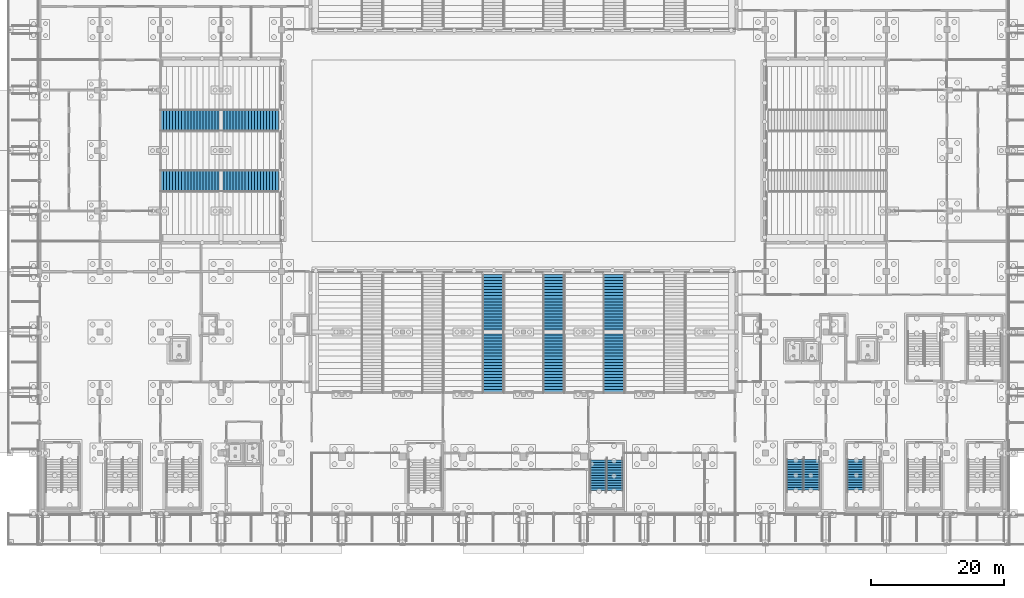
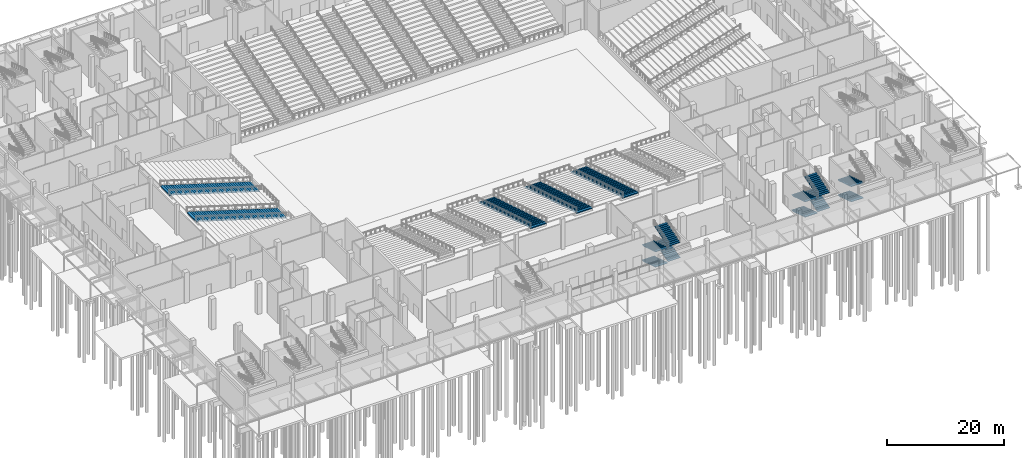
# One storey, part 89 of 129: 15 stair flights, 8 elements without a shape of their own.
"""IFC4 building model written with IfcOpenShell, lengths in metres."""

from ifc_helpers import new_model, si_unit, direction, frame, origin, place, context, subcontext, project, spatial, polyline, outline, extrude, material, type_object, element, aggregate, save


model = new_model("IFC4")

# Units and contexts
model_context = context("Model", 3, precision=1e-05, world=origin(), true_north=direction((0.0, 1.0)))
body_context = subcontext(model_context, "Body", "Model", "MODEL_VIEW")
ifc_project = project(units=[si_unit("LENGTHUNIT", "METRE"), si_unit("AREAUNIT", "SQUARE_METRE"), si_unit("VOLUMEUNIT", "CUBIC_METRE"), si_unit("PLANEANGLEUNIT", "RADIAN"), si_unit("MASSUNIT", "GRAM", prefix="KILO")], contexts=[model_context])

# Site, building, storey
site_placement = place(None, origin())
site = spatial("IfcSite", under=ifc_project, at=site_placement, CompositionType="ELEMENT")
building_placement = place(site_placement, origin())
building = spatial("IfcBuilding", under=site, at=building_placement, Name="Shirokan Park Arena", CompositionType="ELEMENT")
storey_placement = place(building_placement, origin())
storey = spatial("IfcBuildingStorey", under=building, at=storey_placement, Name="L00", CompositionType="ELEMENT", Elevation=0.0)

# Stair, stair flights
ifc_material = material(Name="Concrete C30 precast", Category="concrete")
stair_type_1 = type_object("IfcStairType", Name="Stair 52 risers 122 x 385 2400 wide", PredefinedType="DOUBLE_RETURN_STAIR", material=ifc_material)
stair_1_placement = place(storey_placement, origin())
stair_1 = element("IfcStair", 1, at=stair_1_placement, inside=storey, type_object=stair_type_1, Name="Exit Stair 2.C L00 to L01", PredefinedType="DOUBLE_RETURN_STAIR")
stair_flight_type_1 = type_object("IfcStairFlightType", Name="Stair flight 13 risers 122 x 385 2400 wide", PredefinedType="STRAIGHT", material=ifc_material)
stair_flight_1_placement = place(storey_placement, frame((122.75, 8.14990234375, 0.0), z_axis=(0.0, 0.0, 1.0), x_axis=(0.0, -1.0, 0.0)))
stair_flight_1 = element("IfcStairFlight", 2, at=stair_flight_1_placement, type_object=stair_flight_type_1, Name="ST06.1 flight 1", NumberOfRisers=13, NumberOfTreads=12, PredefinedType="STRAIGHT", RiserHeight=0.1225, TreadLength=0.385, context=body_context, shape_type="SweptSolid", body=[
    extrude(outline(polyline([(0.0, 0.0), (0.0, 0.12255859375), (0.385009765625, 0.12255859375), (0.385009765625, 0.2451171875), (0.77001953125, 0.2451171875), (0.77001953125, 0.367431640625), (1.155029296875, 0.367431640625), (1.155029296875, 0.489990234375), (1.5400390625, 0.489990234375), (1.5400390625, 0.612548828125), (1.925048828125, 0.612548828125), (1.925048828125, 0.735107421875), (2.31005859375, 0.735107421875), (2.31005859375, 0.857421875), (2.695068359375, 0.857421875), (2.695068359375, 0.97998046875), (3.080078125, 0.97998046875), (3.080078125, 1.1025390625), (3.465087890625, 1.1025390625), (3.465087890625, 1.22509765625), (3.85009765625, 1.22509765625), (3.85009765625, 1.347412109375), (4.235107421875, 1.347412109375), (4.235107421875, 1.469970703125), (4.6201171875, 1.469970703125), (4.6201171875, 1.592529296875), (4.6201171875, 1.312744140625), (0.494384765625, 0.0), (0.0, 0.0)])), frame((0.0, 1.199951171875, 0.0), z_axis=(0.0, -1.0, 0.0), x_axis=(1.0, 0.0, 0.0)), (0.0, 0.0, 1.0), 2.39990234375),
])
stair_flight_2_placement = place(storey_placement, frame((122.75, 8.14990234375, 3.18505859375), z_axis=(0.0, 0.0, 1.0), x_axis=(0.0, -1.0, 0.0)))
stair_flight_2 = element("IfcStairFlight", 3, at=stair_flight_2_placement, type_object=stair_flight_type_1, Name="ST06.1 flight 3", NumberOfRisers=13, NumberOfTreads=12, PredefinedType="STRAIGHT", RiserHeight=0.1225, TreadLength=0.385, context=body_context, shape_type="SweptSolid", body=[
    extrude(outline(polyline([(0.0, 0.0), (0.0, 0.12255859375), (0.385009765625, 0.12255859375), (0.385009765625, 0.2451171875), (0.77001953125, 0.2451171875), (0.77001953125, 0.367431640625), (1.155029296875, 0.367431640625), (1.155029296875, 0.489990234375), (1.5400390625, 0.489990234375), (1.5400390625, 0.612548828125), (1.925048828125, 0.612548828125), (1.925048828125, 0.735107421875), (2.31005859375, 0.735107421875), (2.31005859375, 0.857421875), (2.695068359375, 0.857421875), (2.695068359375, 0.97998046875), (3.080078125, 0.97998046875), (3.080078125, 1.1025390625), (3.465087890625, 1.1025390625), (3.465087890625, 1.22509765625), (3.85009765625, 1.22509765625), (3.85009765625, 1.347412109375), (4.235107421875, 1.347412109375), (4.235107421875, 1.469970703125), (4.6201171875, 1.469970703125), (4.6201171875, 1.592529296875), (4.6201171875, 1.312744140625), (0.494384765625, 0.0), (0.0, 0.0)])), frame((0.0, 1.199951171875, 0.0), z_axis=(0.0, -1.0, 0.0), x_axis=(1.0, 0.0, 0.0)), (0.0, 0.0, 1.0), 2.39990234375),
])
aggregate(stair_1, [stair_flight_1, stair_flight_2])

stair_2_placement = place(storey_placement, origin())
stair_2 = element("IfcStair", 4, at=stair_2_placement, inside=storey, type_object=stair_type_1, Name="Exit Stair 2.D L00 to L01", PredefinedType="DOUBLE_RETURN_STAIR")
stair_flight_3_placement = place(storey_placement, frame((113.64990234375, 8.14990234375, 0.0), z_axis=(0.0, 0.0, 1.0), x_axis=(0.0, -1.0, 0.0)))
stair_flight_3 = element("IfcStairFlight", 5, at=stair_flight_3_placement, type_object=stair_flight_type_1, Name="ST07.1 flight 1", NumberOfRisers=13, NumberOfTreads=12, PredefinedType="STRAIGHT", RiserHeight=0.1225, TreadLength=0.385, context=body_context, shape_type="SweptSolid", body=[
    extrude(outline(polyline([(0.0, 0.0), (0.0, 0.12255859375), (0.385009765625, 0.12255859375), (0.385009765625, 0.2451171875), (0.77001953125, 0.2451171875), (0.77001953125, 0.367431640625), (1.155029296875, 0.367431640625), (1.155029296875, 0.489990234375), (1.5400390625, 0.489990234375), (1.5400390625, 0.612548828125), (1.925048828125, 0.612548828125), (1.925048828125, 0.735107421875), (2.31005859375, 0.735107421875), (2.31005859375, 0.857421875), (2.695068359375, 0.857421875), (2.695068359375, 0.97998046875), (3.080078125, 0.97998046875), (3.080078125, 1.1025390625), (3.465087890625, 1.1025390625), (3.465087890625, 1.22509765625), (3.85009765625, 1.22509765625), (3.85009765625, 1.347412109375), (4.235107421875, 1.347412109375), (4.235107421875, 1.469970703125), (4.6201171875, 1.469970703125), (4.6201171875, 1.592529296875), (4.6201171875, 1.312744140625), (0.494384765625, 0.0), (0.0, 0.0)])), frame((0.0, 1.199951171875, 0.0), z_axis=(0.0, -1.0, 0.0), x_axis=(1.0, 0.0, 0.0)), (0.0, 0.0, 1.0), 2.39990234375),
])
stair_flight_4_placement = place(storey_placement, frame((116.14990234375, 3.530029296875, 1.592529296875), z_axis=(0.0, 0.0, 1.0), x_axis=(0.0, 1.0, 0.0)))
stair_flight_4 = element("IfcStairFlight", 6, at=stair_flight_4_placement, type_object=stair_flight_type_1, Name="ST07.1 flight 2", NumberOfRisers=13, NumberOfTreads=12, PredefinedType="STRAIGHT", RiserHeight=0.1225, TreadLength=0.385, context=body_context, shape_type="SweptSolid", body=[
    extrude(outline(polyline([(0.0, 0.0), (0.0, 0.12255859375), (0.385009765625, 0.12255859375), (0.385009765625, 0.2451171875), (0.77001953125, 0.2451171875), (0.77001953125, 0.367431640625), (1.155029296875, 0.367431640625), (1.155029296875, 0.489990234375), (1.5400390625, 0.489990234375), (1.5400390625, 0.612548828125), (1.925048828125, 0.612548828125), (1.925048828125, 0.735107421875), (2.31005859375, 0.735107421875), (2.31005859375, 0.857421875), (2.695068359375, 0.857421875), (2.695068359375, 0.97998046875), (3.080078125, 0.97998046875), (3.080078125, 1.1025390625), (3.465087890625, 1.1025390625), (3.465087890625, 1.22509765625), (3.85009765625, 1.22509765625), (3.85009765625, 1.347412109375), (4.235107421875, 1.347412109375), (4.235107421875, 1.469970703125), (4.6201171875, 1.469970703125), (4.6201171875, 1.592529296875), (4.6201171875, 1.312744140625), (0.494384765625, 0.0), (0.0, 0.0)])), frame((0.0, 1.199951171875, 0.0), z_axis=(0.0, -1.0, 0.0), x_axis=(1.0, 0.0, 0.0)), (0.0, 0.0, 1.0), 2.39990234375),
])
stair_flight_5_placement = place(storey_placement, frame((113.64990234375, 8.14990234375, 3.18505859375), z_axis=(0.0, 0.0, 1.0), x_axis=(0.0, -1.0, 0.0)))
stair_flight_5 = element("IfcStairFlight", 7, at=stair_flight_5_placement, type_object=stair_flight_type_1, Name="ST07.1 flight 3", NumberOfRisers=13, NumberOfTreads=12, PredefinedType="STRAIGHT", RiserHeight=0.1225, TreadLength=0.385, context=body_context, shape_type="SweptSolid", body=[
    extrude(outline(polyline([(0.0, 0.0), (0.0, 0.12255859375), (0.385009765625, 0.12255859375), (0.385009765625, 0.2451171875), (0.77001953125, 0.2451171875), (0.77001953125, 0.367431640625), (1.155029296875, 0.367431640625), (1.155029296875, 0.489990234375), (1.5400390625, 0.489990234375), (1.5400390625, 0.612548828125), (1.925048828125, 0.612548828125), (1.925048828125, 0.735107421875), (2.31005859375, 0.735107421875), (2.31005859375, 0.857421875), (2.695068359375, 0.857421875), (2.695068359375, 0.97998046875), (3.080078125, 0.97998046875), (3.080078125, 1.1025390625), (3.465087890625, 1.1025390625), (3.465087890625, 1.22509765625), (3.85009765625, 1.22509765625), (3.85009765625, 1.347412109375), (4.235107421875, 1.347412109375), (4.235107421875, 1.469970703125), (4.6201171875, 1.469970703125), (4.6201171875, 1.592529296875), (4.6201171875, 1.312744140625), (0.494384765625, 0.0), (0.0, 0.0)])), frame((0.0, 1.199951171875, 0.0), z_axis=(0.0, -1.0, 0.0), x_axis=(1.0, 0.0, 0.0)), (0.0, 0.0, 1.0), 2.39990234375),
])
stair_flight_6_placement = place(storey_placement, frame((116.14990234375, 3.530029296875, 4.777587890625), z_axis=(0.0, 0.0, 1.0), x_axis=(0.0, 1.0, 0.0)))
stair_flight_6 = element("IfcStairFlight", 8, at=stair_flight_6_placement, type_object=stair_flight_type_1, Name="ST07.1 flight 4", NumberOfRisers=13, NumberOfTreads=12, PredefinedType="STRAIGHT", RiserHeight=0.1225, TreadLength=0.385, context=body_context, shape_type="SweptSolid", body=[
    extrude(outline(polyline([(0.0, 0.0), (0.0, 0.12255859375), (0.385009765625, 0.12255859375), (0.385009765625, 0.2451171875), (0.77001953125, 0.2451171875), (0.77001953125, 0.367431640625), (1.155029296875, 0.367431640625), (1.155029296875, 0.489990234375), (1.5400390625, 0.489990234375), (1.5400390625, 0.612548828125), (1.925048828125, 0.612548828125), (1.925048828125, 0.735107421875), (2.31005859375, 0.735107421875), (2.31005859375, 0.857421875), (2.695068359375, 0.857421875), (2.695068359375, 0.97998046875), (3.080078125, 0.97998046875), (3.080078125, 1.1025390625), (3.465087890625, 1.1025390625), (3.465087890625, 1.22509765625), (3.85009765625, 1.22509765625), (3.85009765625, 1.347412109375), (4.235107421875, 1.347412109375), (4.235107421875, 1.469970703125), (4.6201171875, 1.469970703125), (4.6201171875, 1.592529296875), (4.6201171875, 1.312744140625), (0.494384765625, 0.0), (0.0, 0.0)])), frame((0.0, 1.199951171875, 0.0), z_axis=(0.0, -1.0, 0.0), x_axis=(1.0, 0.0, 0.0)), (0.0, 0.0, 1.0), 2.39990234375),
])
aggregate(stair_2, [stair_flight_3, stair_flight_4, stair_flight_5, stair_flight_6])

stair_3_placement = place(storey_placement, origin())
stair_3 = element("IfcStair", 9, at=stair_3_placement, inside=storey, type_object=stair_type_1, Name="Entrance Stair E1.2 L00 to L01", PredefinedType="DOUBLE_RETURN_STAIR")
stair_flight_7_placement = place(storey_placement, frame((84.050048828125, 8.050048828125, 0.0), z_axis=(0.0, 0.0, 1.0), x_axis=(0.0, -1.0, 0.0)))
stair_flight_7 = element("IfcStairFlight", 10, at=stair_flight_7_placement, type_object=stair_flight_type_1, Name="ST25.1 flight 1", NumberOfRisers=13, NumberOfTreads=12, PredefinedType="STRAIGHT", RiserHeight=0.1225, TreadLength=0.385, context=body_context, shape_type="SweptSolid", body=[
    extrude(outline(polyline([(0.0, 0.0), (0.0, 0.12255859375), (0.385009765625, 0.12255859375), (0.385009765625, 0.2451171875), (0.77001953125, 0.2451171875), (0.77001953125, 0.367431640625), (1.155029296875, 0.367431640625), (1.155029296875, 0.489990234375), (1.5400390625, 0.489990234375), (1.5400390625, 0.612548828125), (1.925048828125, 0.612548828125), (1.925048828125, 0.735107421875), (2.31005859375, 0.735107421875), (2.31005859375, 0.857421875), (2.695068359375, 0.857421875), (2.695068359375, 0.97998046875), (3.080078125, 0.97998046875), (3.080078125, 1.1025390625), (3.465087890625, 1.1025390625), (3.465087890625, 1.22509765625), (3.85009765625, 1.22509765625), (3.85009765625, 1.347412109375), (4.235107421875, 1.347412109375), (4.235107421875, 1.469970703125), (4.6201171875, 1.469970703125), (4.6201171875, 1.592529296875), (4.6201171875, 1.312744140625), (0.494384765625, 0.0), (0.0, 0.0)])), frame((0.0, 1.199951171875, 0.0), z_axis=(0.0, -1.0, 0.0), x_axis=(1.0, 0.0, 0.0)), (0.0, 0.0, 1.0), 2.39990234375),
])
stair_flight_8_placement = place(storey_placement, frame((86.550048828125, 3.429931640625, 1.592529296875), z_axis=(0.0, 0.0, 1.0), x_axis=(0.0, 1.0, 0.0)))
stair_flight_8 = element("IfcStairFlight", 11, at=stair_flight_8_placement, type_object=stair_flight_type_1, Name="ST25.1 flight 2", NumberOfRisers=13, NumberOfTreads=12, PredefinedType="STRAIGHT", RiserHeight=0.1225, TreadLength=0.385, context=body_context, shape_type="SweptSolid", body=[
    extrude(outline(polyline([(0.0, 0.0), (0.0, 0.12255859375), (0.385009765625, 0.12255859375), (0.385009765625, 0.2451171875), (0.77001953125, 0.2451171875), (0.77001953125, 0.367431640625), (1.155029296875, 0.367431640625), (1.155029296875, 0.489990234375), (1.5400390625, 0.489990234375), (1.5400390625, 0.612548828125), (1.925048828125, 0.612548828125), (1.925048828125, 0.735107421875), (2.31005859375, 0.735107421875), (2.31005859375, 0.857421875), (2.695068359375, 0.857421875), (2.695068359375, 0.97998046875), (3.080078125, 0.97998046875), (3.080078125, 1.1025390625), (3.465087890625, 1.1025390625), (3.465087890625, 1.22509765625), (3.85009765625, 1.22509765625), (3.85009765625, 1.347412109375), (4.235107421875, 1.347412109375), (4.235107421875, 1.469970703125), (4.6201171875, 1.469970703125), (4.6201171875, 1.592529296875), (4.6201171875, 1.312744140625), (0.494384765625, 0.0), (0.0, 0.0)])), frame((0.0, 1.199951171875, 0.0), z_axis=(0.0, -1.0, 0.0), x_axis=(1.0, 0.0, 0.0)), (0.0, 0.0, 1.0), 2.39990234375),
])
stair_flight_9_placement = place(storey_placement, frame((84.050048828125, 8.050048828125, 3.18505859375), z_axis=(0.0, 0.0, 1.0), x_axis=(0.0, -1.0, 0.0)))
stair_flight_9 = element("IfcStairFlight", 12, at=stair_flight_9_placement, type_object=stair_flight_type_1, Name="ST25.1 flight 3", NumberOfRisers=13, NumberOfTreads=12, PredefinedType="STRAIGHT", RiserHeight=0.1225, TreadLength=0.385, context=body_context, shape_type="SweptSolid", body=[
    extrude(outline(polyline([(0.0, 0.0), (0.0, 0.12255859375), (0.385009765625, 0.12255859375), (0.385009765625, 0.2451171875), (0.77001953125, 0.2451171875), (0.77001953125, 0.367431640625), (1.155029296875, 0.367431640625), (1.155029296875, 0.489990234375), (1.5400390625, 0.489990234375), (1.5400390625, 0.612548828125), (1.925048828125, 0.612548828125), (1.925048828125, 0.735107421875), (2.31005859375, 0.735107421875), (2.31005859375, 0.857421875), (2.695068359375, 0.857421875), (2.695068359375, 0.97998046875), (3.080078125, 0.97998046875), (3.080078125, 1.1025390625), (3.465087890625, 1.1025390625), (3.465087890625, 1.22509765625), (3.85009765625, 1.22509765625), (3.85009765625, 1.347412109375), (4.235107421875, 1.347412109375), (4.235107421875, 1.469970703125), (4.6201171875, 1.469970703125), (4.6201171875, 1.592529296875), (4.6201171875, 1.312744140625), (0.494384765625, 0.0), (0.0, 0.0)])), frame((0.0, 1.199951171875, 0.0), z_axis=(0.0, -1.0, 0.0), x_axis=(1.0, 0.0, 0.0)), (0.0, 0.0, 1.0), 2.39990234375),
])
stair_flight_10_placement = place(storey_placement, frame((86.550048828125, 3.429931640625, 4.777587890625), z_axis=(0.0, 0.0, 1.0), x_axis=(0.0, 1.0, 0.0)))
stair_flight_10 = element("IfcStairFlight", 13, at=stair_flight_10_placement, type_object=stair_flight_type_1, Name="ST25.1 flight 4", NumberOfRisers=13, NumberOfTreads=12, PredefinedType="STRAIGHT", RiserHeight=0.1225, TreadLength=0.385, context=body_context, shape_type="SweptSolid", body=[
    extrude(outline(polyline([(0.0, 0.0), (0.0, 0.12255859375), (0.385009765625, 0.12255859375), (0.385009765625, 0.2451171875), (0.77001953125, 0.2451171875), (0.77001953125, 0.367431640625), (1.155029296875, 0.367431640625), (1.155029296875, 0.489990234375), (1.5400390625, 0.489990234375), (1.5400390625, 0.612548828125), (1.925048828125, 0.612548828125), (1.925048828125, 0.735107421875), (2.31005859375, 0.735107421875), (2.31005859375, 0.857421875), (2.695068359375, 0.857421875), (2.695068359375, 0.97998046875), (3.080078125, 0.97998046875), (3.080078125, 1.1025390625), (3.465087890625, 1.1025390625), (3.465087890625, 1.22509765625), (3.85009765625, 1.22509765625), (3.85009765625, 1.347412109375), (4.235107421875, 1.347412109375), (4.235107421875, 1.469970703125), (4.6201171875, 1.469970703125), (4.6201171875, 1.592529296875), (4.6201171875, 1.312744140625), (0.494384765625, 0.0), (0.0, 0.0)])), frame((0.0, 1.199951171875, 0.0), z_axis=(0.0, -1.0, 0.0), x_axis=(1.0, 0.0, 0.0)), (0.0, 0.0, 1.0), 2.39990234375),
])
aggregate(stair_3, [stair_flight_7, stair_flight_8, stair_flight_9, stair_flight_10])

# Stair, stair flight
stair_type_2 = type_object("IfcStairType", Name="Stair 40 risers 140 x 455 3200 wide", PredefinedType="STRAIGHT_RUN_STAIR", material=ifc_material)
stair_4_placement = place(storey_placement, origin())
stair_4 = element("IfcStair", 14, at=stair_4_placement, inside=storey, type_object=stair_type_2, Name="Vomitory stair S3 lower", PredefinedType="STRAIGHT_RUN_STAIR")
stair_flight_type_2 = type_object("IfcStairFlightType", Name="Stair flight 40 risers 140 x 455 3200 wide", PredefinedType="STRAIGHT", material=ifc_material)
stair_flight_11_placement = place(storey_placement, frame((68.25, 35.945068359375, 0.77001953125), z_axis=(0.0, 0.0, 1.0), x_axis=(0.0, -1.0, 0.0)))
stair_flight_11 = element("IfcStairFlight", 15, at=stair_flight_11_placement, type_object=stair_flight_type_2, Name="VS-S3L flight 1", NumberOfRisers=40, NumberOfTreads=39, PredefinedType="STRAIGHT", RiserHeight=0.14, TreadLength=0.455, context=body_context, shape_type="SweptSolid", body=[
    extrude(outline(polyline([(0.0, -0.0693359375), (0.0, 0.0), (0.0, 0.139892578125), (0.455078125, 0.139892578125), (0.455078125, 0.280029296875), (0.909912109375, 0.280029296875), (0.909912109375, 0.419921875), (1.364990234375, 0.419921875), (1.364990234375, 0.56005859375), (1.820068359375, 0.56005859375), (1.820068359375, 0.699951171875), (2.27490234375, 0.699951171875), (2.27490234375, 0.840087890625), (2.72998046875, 0.840087890625), (2.72998046875, 0.97998046875), (3.18505859375, 0.97998046875), (3.18505859375, 1.1201171875), (3.639892578125, 1.1201171875), (3.639892578125, 1.260009765625), (4.094970703125, 1.260009765625), (4.094970703125, 1.39990234375), (4.550048828125, 1.39990234375), (4.550048828125, 1.5400390625), (5.0048828125, 1.5400390625), (5.0048828125, 1.679931640625), (5.4599609375, 1.679931640625), (5.4599609375, 1.820068359375), (5.9150390625, 1.820068359375), (5.9150390625, 1.9599609375), (6.3701171875, 1.9599609375), (6.3701171875, 2.10009765625), (6.824951171875, 2.10009765625), (6.824951171875, 2.239990234375), (7.280029296875, 2.239990234375), (7.280029296875, 2.3798828125), (7.735107421875, 2.3798828125), (7.735107421875, 2.52001953125), (8.18994140625, 2.52001953125), (8.18994140625, 2.659912109375), (8.64501953125, 2.659912109375), (8.64501953125, 2.800048828125), (9.10009765625, 2.800048828125), (9.10009765625, 2.93994140625), (9.554931640625, 2.93994140625), (9.554931640625, 3.080078125), (10.010009765625, 3.080078125), (10.010009765625, 3.219970703125), (10.465087890625, 3.219970703125), (10.465087890625, 3.360107421875), (10.919921875, 3.360107421875), (10.919921875, 3.5), (11.375, 3.5), (11.375, 3.639892578125), (11.830078125, 3.639892578125), (11.830078125, 3.780029296875), (12.284912109375, 3.780029296875), (12.284912109375, 3.919921875), (12.739990234375, 3.919921875), (12.739990234375, 4.06005859375), (13.195068359375, 4.06005859375), (13.195068359375, 4.199951171875), (13.64990234375, 4.199951171875), (13.64990234375, 4.340087890625), (14.10498046875, 4.340087890625), (14.10498046875, 4.47998046875), (14.56005859375, 4.47998046875), (14.56005859375, 4.6201171875), (15.014892578125, 4.6201171875), (15.014892578125, 4.760009765625), (15.469970703125, 4.760009765625), (15.469970703125, 4.89990234375), (15.925048828125, 4.89990234375), (15.925048828125, 5.0400390625), (16.3798828125, 5.0400390625), (16.3798828125, 5.179931640625), (16.8349609375, 5.179931640625), (16.8349609375, 5.320068359375), (17.2900390625, 5.320068359375), (17.2900390625, 5.4599609375), (17.7451171875, 5.4599609375), (17.7451171875, 5.60009765625), (17.7451171875, 5.25), (17.544921875, 5.25), (17.544921875, 5.329345703125), (0.0, -0.0693359375)])), frame((0.0, 1.60009765625, 0.0), z_axis=(0.0, -1.0, 0.0), x_axis=(1.0, 0.0, 0.0)), (0.0, 0.0, 1.0), 3.199951171875),
])
aggregate(stair_4, [stair_flight_11])

stair_5_placement = place(storey_placement, origin())
stair_5 = element("IfcStair", 16, at=stair_5_placement, inside=storey, type_object=stair_type_2, Name="Vomitory stair S4 lower", PredefinedType="STRAIGHT_RUN_STAIR")
stair_flight_12_placement = place(storey_placement, frame((77.35009765625, 35.945068359375, 0.77001953125), z_axis=(0.0, 0.0, 1.0), x_axis=(0.0, -1.0, 0.0)))
stair_flight_12 = element("IfcStairFlight", 17, at=stair_flight_12_placement, type_object=stair_flight_type_2, Name="VS-S4L flight 1", NumberOfRisers=40, NumberOfTreads=39, PredefinedType="STRAIGHT", RiserHeight=0.14, TreadLength=0.455, context=body_context, shape_type="SweptSolid", body=[
    extrude(outline(polyline([(0.0, -0.0693359375), (0.0, 0.0), (0.0, 0.139892578125), (0.455078125, 0.139892578125), (0.455078125, 0.280029296875), (0.909912109375, 0.280029296875), (0.909912109375, 0.419921875), (1.364990234375, 0.419921875), (1.364990234375, 0.56005859375), (1.820068359375, 0.56005859375), (1.820068359375, 0.699951171875), (2.27490234375, 0.699951171875), (2.27490234375, 0.840087890625), (2.72998046875, 0.840087890625), (2.72998046875, 0.97998046875), (3.18505859375, 0.97998046875), (3.18505859375, 1.1201171875), (3.639892578125, 1.1201171875), (3.639892578125, 1.260009765625), (4.094970703125, 1.260009765625), (4.094970703125, 1.39990234375), (4.550048828125, 1.39990234375), (4.550048828125, 1.5400390625), (5.0048828125, 1.5400390625), (5.0048828125, 1.679931640625), (5.4599609375, 1.679931640625), (5.4599609375, 1.820068359375), (5.9150390625, 1.820068359375), (5.9150390625, 1.9599609375), (6.3701171875, 1.9599609375), (6.3701171875, 2.10009765625), (6.824951171875, 2.10009765625), (6.824951171875, 2.239990234375), (7.280029296875, 2.239990234375), (7.280029296875, 2.3798828125), (7.735107421875, 2.3798828125), (7.735107421875, 2.52001953125), (8.18994140625, 2.52001953125), (8.18994140625, 2.659912109375), (8.64501953125, 2.659912109375), (8.64501953125, 2.800048828125), (9.10009765625, 2.800048828125), (9.10009765625, 2.93994140625), (9.554931640625, 2.93994140625), (9.554931640625, 3.080078125), (10.010009765625, 3.080078125), (10.010009765625, 3.219970703125), (10.465087890625, 3.219970703125), (10.465087890625, 3.360107421875), (10.919921875, 3.360107421875), (10.919921875, 3.5), (11.375, 3.5), (11.375, 3.639892578125), (11.830078125, 3.639892578125), (11.830078125, 3.780029296875), (12.284912109375, 3.780029296875), (12.284912109375, 3.919921875), (12.739990234375, 3.919921875), (12.739990234375, 4.06005859375), (13.195068359375, 4.06005859375), (13.195068359375, 4.199951171875), (13.64990234375, 4.199951171875), (13.64990234375, 4.340087890625), (14.10498046875, 4.340087890625), (14.10498046875, 4.47998046875), (14.56005859375, 4.47998046875), (14.56005859375, 4.6201171875), (15.014892578125, 4.6201171875), (15.014892578125, 4.760009765625), (15.469970703125, 4.760009765625), (15.469970703125, 4.89990234375), (15.925048828125, 4.89990234375), (15.925048828125, 5.0400390625), (16.3798828125, 5.0400390625), (16.3798828125, 5.179931640625), (16.8349609375, 5.179931640625), (16.8349609375, 5.320068359375), (17.2900390625, 5.320068359375), (17.2900390625, 5.4599609375), (17.7451171875, 5.4599609375), (17.7451171875, 5.60009765625), (17.7451171875, 5.25), (17.544921875, 5.25), (17.544921875, 5.329345703125), (0.0, -0.0693359375)])), frame((0.0, 1.60009765625, 0.0), z_axis=(0.0, -1.0, 0.0), x_axis=(1.0, 0.0, 0.0)), (0.0, 0.0, 1.0), 3.199951171875),
])
aggregate(stair_5, [stair_flight_12])

stair_6_placement = place(storey_placement, origin())
stair_6 = element("IfcStair", 18, at=stair_6_placement, inside=storey, type_object=stair_type_2, Name="Vomitory stair S5 lower", PredefinedType="STRAIGHT_RUN_STAIR")
stair_flight_13_placement = place(storey_placement, frame((86.449951171875, 35.945068359375, 0.77001953125), z_axis=(0.0, 0.0, 1.0), x_axis=(0.0, -1.0, 0.0)))
stair_flight_13 = element("IfcStairFlight", 19, at=stair_flight_13_placement, type_object=stair_flight_type_2, Name="VS-S5L flight 1", NumberOfRisers=40, NumberOfTreads=39, PredefinedType="STRAIGHT", RiserHeight=0.14, TreadLength=0.455, context=body_context, shape_type="SweptSolid", body=[
    extrude(outline(polyline([(0.0, -0.0693359375), (0.0, 0.0), (0.0, 0.139892578125), (0.455078125, 0.139892578125), (0.455078125, 0.280029296875), (0.909912109375, 0.280029296875), (0.909912109375, 0.419921875), (1.364990234375, 0.419921875), (1.364990234375, 0.56005859375), (1.820068359375, 0.56005859375), (1.820068359375, 0.699951171875), (2.27490234375, 0.699951171875), (2.27490234375, 0.840087890625), (2.72998046875, 0.840087890625), (2.72998046875, 0.97998046875), (3.18505859375, 0.97998046875), (3.18505859375, 1.1201171875), (3.639892578125, 1.1201171875), (3.639892578125, 1.260009765625), (4.094970703125, 1.260009765625), (4.094970703125, 1.39990234375), (4.550048828125, 1.39990234375), (4.550048828125, 1.5400390625), (5.0048828125, 1.5400390625), (5.0048828125, 1.679931640625), (5.4599609375, 1.679931640625), (5.4599609375, 1.820068359375), (5.9150390625, 1.820068359375), (5.9150390625, 1.9599609375), (6.3701171875, 1.9599609375), (6.3701171875, 2.10009765625), (6.824951171875, 2.10009765625), (6.824951171875, 2.239990234375), (7.280029296875, 2.239990234375), (7.280029296875, 2.3798828125), (7.735107421875, 2.3798828125), (7.735107421875, 2.52001953125), (8.18994140625, 2.52001953125), (8.18994140625, 2.659912109375), (8.64501953125, 2.659912109375), (8.64501953125, 2.800048828125), (9.10009765625, 2.800048828125), (9.10009765625, 2.93994140625), (9.554931640625, 2.93994140625), (9.554931640625, 3.080078125), (10.010009765625, 3.080078125), (10.010009765625, 3.219970703125), (10.465087890625, 3.219970703125), (10.465087890625, 3.360107421875), (10.919921875, 3.360107421875), (10.919921875, 3.5), (11.375, 3.5), (11.375, 3.639892578125), (11.830078125, 3.639892578125), (11.830078125, 3.780029296875), (12.284912109375, 3.780029296875), (12.284912109375, 3.919921875), (12.739990234375, 3.919921875), (12.739990234375, 4.06005859375), (13.195068359375, 4.06005859375), (13.195068359375, 4.199951171875), (13.64990234375, 4.199951171875), (13.64990234375, 4.340087890625), (14.10498046875, 4.340087890625), (14.10498046875, 4.47998046875), (14.56005859375, 4.47998046875), (14.56005859375, 4.6201171875), (15.014892578125, 4.6201171875), (15.014892578125, 4.760009765625), (15.469970703125, 4.760009765625), (15.469970703125, 4.89990234375), (15.925048828125, 4.89990234375), (15.925048828125, 5.0400390625), (16.3798828125, 5.0400390625), (16.3798828125, 5.179931640625), (16.8349609375, 5.179931640625), (16.8349609375, 5.320068359375), (17.2900390625, 5.320068359375), (17.2900390625, 5.4599609375), (17.7451171875, 5.4599609375), (17.7451171875, 5.60009765625), (17.7451171875, 5.25), (17.544921875, 5.25), (17.544921875, 5.329345703125), (0.0, -0.0693359375)])), frame((0.0, 1.60009765625, 0.0), z_axis=(0.0, -1.0, 0.0), x_axis=(1.0, 0.0, 0.0)), (0.0, 0.0, 1.0), 3.199951171875),
])
aggregate(stair_6, [stair_flight_13])

stair_7_placement = place(storey_placement, origin())
stair_7 = element("IfcStair", 20, at=stair_7_placement, inside=storey, type_object=stair_type_2, Name="Vomitory stair W1 lower", PredefinedType="STRAIGHT_RUN_STAIR")
stair_flight_14_placement = place(storey_placement, frame((35.945068359375, 50.050048828125, 0.77001953125), z_axis=(0.0, 0.0, 1.0), x_axis=(-1.0, 0.0, 0.0)))
stair_flight_14 = element("IfcStairFlight", 21, at=stair_flight_14_placement, type_object=stair_flight_type_2, Name="VS-W1L flight 1", NumberOfRisers=40, NumberOfTreads=39, PredefinedType="STRAIGHT", RiserHeight=0.14, TreadLength=0.455, context=body_context, shape_type="SweptSolid", body=[
    extrude(outline(polyline([(0.0, -0.0693359375), (0.0, 0.0), (0.0, 0.139892578125), (0.455078125, 0.139892578125), (0.455078125, 0.280029296875), (0.909912109375, 0.280029296875), (0.909912109375, 0.419921875), (1.364990234375, 0.419921875), (1.364990234375, 0.56005859375), (1.820068359375, 0.56005859375), (1.820068359375, 0.699951171875), (2.27490234375, 0.699951171875), (2.27490234375, 0.840087890625), (2.72998046875, 0.840087890625), (2.72998046875, 0.97998046875), (3.18505859375, 0.97998046875), (3.18505859375, 1.1201171875), (3.639892578125, 1.1201171875), (3.639892578125, 1.260009765625), (4.094970703125, 1.260009765625), (4.094970703125, 1.39990234375), (4.550048828125, 1.39990234375), (4.550048828125, 1.5400390625), (5.0048828125, 1.5400390625), (5.0048828125, 1.679931640625), (5.4599609375, 1.679931640625), (5.4599609375, 1.820068359375), (5.9150390625, 1.820068359375), (5.9150390625, 1.9599609375), (6.3701171875, 1.9599609375), (6.3701171875, 2.10009765625), (6.824951171875, 2.10009765625), (6.824951171875, 2.239990234375), (7.280029296875, 2.239990234375), (7.280029296875, 2.3798828125), (7.735107421875, 2.3798828125), (7.735107421875, 2.52001953125), (8.18994140625, 2.52001953125), (8.18994140625, 2.659912109375), (8.64501953125, 2.659912109375), (8.64501953125, 2.800048828125), (9.10009765625, 2.800048828125), (9.10009765625, 2.93994140625), (9.554931640625, 2.93994140625), (9.554931640625, 3.080078125), (10.010009765625, 3.080078125), (10.010009765625, 3.219970703125), (10.465087890625, 3.219970703125), (10.465087890625, 3.360107421875), (10.919921875, 3.360107421875), (10.919921875, 3.5), (11.375, 3.5), (11.375, 3.639892578125), (11.830078125, 3.639892578125), (11.830078125, 3.780029296875), (12.284912109375, 3.780029296875), (12.284912109375, 3.919921875), (12.739990234375, 3.919921875), (12.739990234375, 4.06005859375), (13.195068359375, 4.06005859375), (13.195068359375, 4.199951171875), (13.64990234375, 4.199951171875), (13.64990234375, 4.340087890625), (14.10498046875, 4.340087890625), (14.10498046875, 4.47998046875), (14.56005859375, 4.47998046875), (14.56005859375, 4.6201171875), (15.014892578125, 4.6201171875), (15.014892578125, 4.760009765625), (15.469970703125, 4.760009765625), (15.469970703125, 4.89990234375), (15.925048828125, 4.89990234375), (15.925048828125, 5.0400390625), (16.3798828125, 5.0400390625), (16.3798828125, 5.179931640625), (16.8349609375, 5.179931640625), (16.8349609375, 5.320068359375), (17.2900390625, 5.320068359375), (17.2900390625, 5.4599609375), (17.7451171875, 5.4599609375), (17.7451171875, 5.60009765625), (17.7451171875, 5.25), (17.544921875, 5.25), (17.544921875, 5.329345703125), (0.0, -0.0693359375)])), frame((0.0, 1.60009765625, 0.0), z_axis=(0.0, -1.0, 0.0), x_axis=(1.0, 0.0, 0.0)), (0.0, 0.0, 1.0), 3.199951171875),
])
aggregate(stair_7, [stair_flight_14])

stair_8_placement = place(storey_placement, origin())
stair_8 = element("IfcStair", 22, at=stair_8_placement, inside=storey, type_object=stair_type_2, Name="Vomitory stair W2 lower", PredefinedType="STRAIGHT_RUN_STAIR")
stair_flight_15_placement = place(storey_placement, frame((35.945068359375, 59.14990234375, 0.77001953125), z_axis=(0.0, 0.0, 1.0), x_axis=(-1.0, 0.0, 0.0)))
stair_flight_15 = element("IfcStairFlight", 23, at=stair_flight_15_placement, type_object=stair_flight_type_2, Name="VS-W2L flight 1", NumberOfRisers=40, NumberOfTreads=39, PredefinedType="STRAIGHT", RiserHeight=0.14, TreadLength=0.455, context=body_context, shape_type="SweptSolid", body=[
    extrude(outline(polyline([(0.0, -0.0693359375), (0.0, 0.0), (0.0, 0.139892578125), (0.455078125, 0.139892578125), (0.455078125, 0.280029296875), (0.909912109375, 0.280029296875), (0.909912109375, 0.419921875), (1.364990234375, 0.419921875), (1.364990234375, 0.56005859375), (1.820068359375, 0.56005859375), (1.820068359375, 0.699951171875), (2.27490234375, 0.699951171875), (2.27490234375, 0.840087890625), (2.72998046875, 0.840087890625), (2.72998046875, 0.97998046875), (3.18505859375, 0.97998046875), (3.18505859375, 1.1201171875), (3.639892578125, 1.1201171875), (3.639892578125, 1.260009765625), (4.094970703125, 1.260009765625), (4.094970703125, 1.39990234375), (4.550048828125, 1.39990234375), (4.550048828125, 1.5400390625), (5.0048828125, 1.5400390625), (5.0048828125, 1.679931640625), (5.4599609375, 1.679931640625), (5.4599609375, 1.820068359375), (5.9150390625, 1.820068359375), (5.9150390625, 1.9599609375), (6.3701171875, 1.9599609375), (6.3701171875, 2.10009765625), (6.824951171875, 2.10009765625), (6.824951171875, 2.239990234375), (7.280029296875, 2.239990234375), (7.280029296875, 2.3798828125), (7.735107421875, 2.3798828125), (7.735107421875, 2.52001953125), (8.18994140625, 2.52001953125), (8.18994140625, 2.659912109375), (8.64501953125, 2.659912109375), (8.64501953125, 2.800048828125), (9.10009765625, 2.800048828125), (9.10009765625, 2.93994140625), (9.554931640625, 2.93994140625), (9.554931640625, 3.080078125), (10.010009765625, 3.080078125), (10.010009765625, 3.219970703125), (10.465087890625, 3.219970703125), (10.465087890625, 3.360107421875), (10.919921875, 3.360107421875), (10.919921875, 3.5), (11.375, 3.5), (11.375, 3.639892578125), (11.830078125, 3.639892578125), (11.830078125, 3.780029296875), (12.284912109375, 3.780029296875), (12.284912109375, 3.919921875), (12.739990234375, 3.919921875), (12.739990234375, 4.06005859375), (13.195068359375, 4.06005859375), (13.195068359375, 4.199951171875), (13.64990234375, 4.199951171875), (13.64990234375, 4.340087890625), (14.10498046875, 4.340087890625), (14.10498046875, 4.47998046875), (14.56005859375, 4.47998046875), (14.56005859375, 4.6201171875), (15.014892578125, 4.6201171875), (15.014892578125, 4.760009765625), (15.469970703125, 4.760009765625), (15.469970703125, 4.89990234375), (15.925048828125, 4.89990234375), (15.925048828125, 5.0400390625), (16.3798828125, 5.0400390625), (16.3798828125, 5.179931640625), (16.8349609375, 5.179931640625), (16.8349609375, 5.320068359375), (17.2900390625, 5.320068359375), (17.2900390625, 5.4599609375), (17.7451171875, 5.4599609375), (17.7451171875, 5.60009765625), (17.7451171875, 5.25), (17.544921875, 5.25), (17.544921875, 5.329345703125), (0.0, -0.0693359375)])), frame((0.0, 1.60009765625, 0.0), z_axis=(0.0, -1.0, 0.0), x_axis=(1.0, 0.0, 0.0)), (0.0, 0.0, 1.0), 3.199951171875),
])
aggregate(stair_8, [stair_flight_15])

save(model, "model.ifc")
